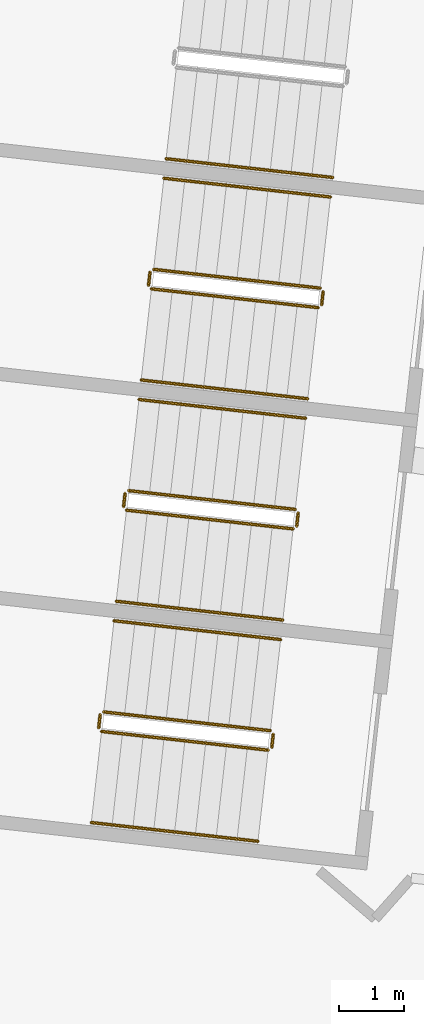
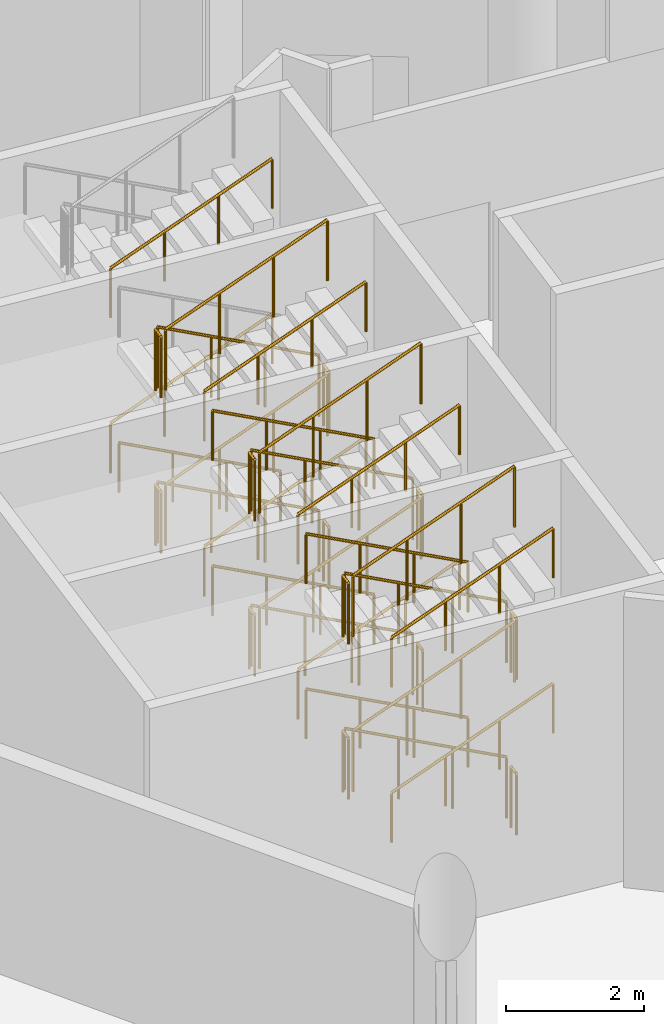
# One storey, part 252 of 271: 37 railings.
"""IFC4 building model written with IfcOpenShell, lengths in metres."""

from ifc_helpers import new_model, si_unit, direction, frame, origin, origin_2d, place, context, subcontext, project, spatial, circle, extrude, material, type_object, element, save


model = new_model("IFC4")

# Units and contexts
model_context = context("Model", 3, precision=1e-05, world=origin(), true_north=direction((0.0, 1.0)))
body_context = subcontext(model_context, "Body", "Model", "MODEL_VIEW")
ifc_project = project(units=[si_unit("LENGTHUNIT", "METRE"), si_unit("AREAUNIT", "SQUARE_METRE"), si_unit("VOLUMEUNIT", "CUBIC_METRE"), si_unit("PLANEANGLEUNIT", "RADIAN"), si_unit("MASSUNIT", "GRAM", prefix="KILO")], contexts=[model_context])

# Site, building, storey
site_placement = place(None, origin())
site = spatial("IfcSite", under=ifc_project, at=site_placement, CompositionType="ELEMENT")
building_placement = place(site_placement, origin())
building = spatial("IfcBuilding", under=site, at=building_placement, Name="Meseta Stadium", CompositionType="ELEMENT")
storey_placement = place(building_placement, frame((0.0, 0.0, 6.5)))
storey = spatial("IfcBuildingStorey", under=building, at=storey_placement, Name="L01", CompositionType="ELEMENT", Elevation=6.5)

# Railings
ifc_material_1 = material(Name="Steel S355", Category="steel")
railing_type_1 = type_object("IfcRailingType", Name="Stair guard 1100", PredefinedType="GUARDRAIL", material=ifc_material_1)
railing_1_placement = place(storey_placement, frame((-89.218017578125, 56.731201171875, 0.15283203125)))
element("IfcRailing", 1, at=railing_1_placement, inside=storey, type_object=railing_type_1, Name="ST58 L01 guard 1", PredefinedType="GUARDRAIL", context=body_context, shape_type="SweptSolid", body=[
    extrude(circle(Radius=0.02392578125, at=origin_2d()), frame((0.0, 0.0, 1.076171875), z_axis=(-0.896761948158, 0.101036326981, 0.430824406188), x_axis=(-0.111959576062, -0.993712761983, 0.0)), (0.0, 0.0, 1.0), 2.8369140625),
    extrude(circle(Radius=0.02099609375, at=origin_2d()), origin(), (0.0, 0.0, 1.0), 1.052001953125),
    extrude(circle(Radius=0.02099609375, at=origin_2d()), frame((-0.847900390625, 0.095458984375, 0.407470703125)), (0.0, 0.0, 1.0), 1.052001953125),
    extrude(circle(Radius=0.02099609375, at=origin_2d()), frame((-1.696044921875, 0.191162109375, 0.814697265625)), (0.0, 0.0, 1.0), 1.052001953125),
    extrude(circle(Radius=0.02099609375, at=origin_2d()), frame((-2.5439453125, 0.28662109375, 1.22216796875)), (0.0, 0.0, 1.0), 1.052001953125),
])
railing_2_placement = place(storey_placement, frame((-91.8173828125, 56.973876953125, 1.375)))
element("IfcRailing", 2, at=railing_2_placement, inside=storey, type_object=railing_type_1, Name="ST58 L01 guard 2", PredefinedType="GUARDRAIL", context=body_context, shape_type="SweptSolid", body=[
    extrude(circle(Radius=0.02392578125, at=origin_2d()), frame((0.0, 0.0, 1.076171875), z_axis=(-0.110966863456, -0.993824106779, 0.0), x_axis=(0.993824106779, -0.110966863456, 0.0)), (0.0, 0.0, 1.0), 0.2001953125),
    extrude(circle(Radius=0.02099609375, at=origin_2d()), origin(), (0.0, 0.0, 1.0), 1.052001953125),
    extrude(circle(Radius=0.02099609375, at=origin_2d()), frame((-0.022216796875, -0.198974609375, 0.0)), (0.0, 0.0, 1.0), 1.052001953125),
])
railing_3_placement = place(storey_placement, frame((-91.795654296875, 56.7197265625, 1.52783203125)))
element("IfcRailing", 3, at=railing_3_placement, inside=storey, type_object=railing_type_1, Name="ST58 L01 guard 3", PredefinedType="GUARDRAIL", context=body_context, shape_type="SweptSolid", body=[
    extrude(circle(Radius=0.02392578125, at=origin_2d()), frame((0.0, 0.0, 1.076171875), z_axis=(0.896761948158, -0.101036326981, 0.430824406188), x_axis=(0.111959576062, 0.993712761983, 0.0)), (0.0, 0.0, 1.0), 2.8369140625),
    extrude(circle(Radius=0.02099609375, at=origin_2d()), origin(), (0.0, 0.0, 1.0), 1.052001953125),
    extrude(circle(Radius=0.02099609375, at=origin_2d()), frame((0.847900390625, -0.095458984375, 0.407470703125)), (0.0, 0.0, 1.0), 1.052001953125),
    extrude(circle(Radius=0.02099609375, at=origin_2d()), frame((1.696044921875, -0.191162109375, 0.814697265625)), (0.0, 0.0, 1.0), 1.052001953125),
    extrude(circle(Radius=0.02099609375, at=origin_2d()), frame((2.5439453125, -0.28662109375, 1.22216796875)), (0.0, 0.0, 1.0), 1.052001953125),
])
railing_4_placement = place(storey_placement, frame((-89.174072265625, 56.676025390625, 2.75)))
element("IfcRailing", 4, at=railing_4_placement, inside=storey, type_object=railing_type_1, Name="ST58 L01 guard 4", PredefinedType="GUARDRAIL", context=body_context, shape_type="SweptSolid", body=[
    extrude(circle(Radius=0.02392578125, at=origin_2d()), frame((0.0, 0.0, 1.076171875), z_axis=(-0.111101504696, -0.993809063983, 0.0), x_axis=(0.993809063983, -0.111101504696, 0.0)), (0.0, 0.0, 1.0), 0.199951171875),
    extrude(circle(Radius=0.02099609375, at=origin_2d()), origin(), (0.0, 0.0, 1.0), 1.052001953125),
    extrude(circle(Radius=0.02099609375, at=origin_2d()), frame((-0.022216796875, -0.19873046875, 0.0)), (0.0, 0.0, 1.0), 1.052001953125),
])
railing_5_placement = place(storey_placement, frame((-89.218017578125, 56.731201171875, 2.90283203125)))
element("IfcRailing", 5, at=railing_5_placement, inside=storey, type_object=railing_type_1, Name="ST58 L01 guard 5", PredefinedType="GUARDRAIL", context=body_context, shape_type="SweptSolid", body=[
    extrude(circle(Radius=0.02392578125, at=origin_2d()), frame((0.0, 0.0, 1.076171875), z_axis=(-0.896761948158, 0.101036326981, 0.430824406188), x_axis=(-0.111959576062, -0.993712761983, 0.0)), (0.0, 0.0, 1.0), 2.8369140625),
    extrude(circle(Radius=0.02099609375, at=origin_2d()), origin(), (0.0, 0.0, 1.0), 1.052001953125),
    extrude(circle(Radius=0.02099609375, at=origin_2d()), frame((-0.847900390625, 0.095458984375, 0.407470703125)), (0.0, 0.0, 1.0), 1.052001953125),
    extrude(circle(Radius=0.02099609375, at=origin_2d()), frame((-1.696044921875, 0.191162109375, 0.814697265625)), (0.0, 0.0, 1.0), 1.052001953125),
    extrude(circle(Radius=0.02099609375, at=origin_2d()), frame((-2.5439453125, 0.28662109375, 1.22216796875)), (0.0, 0.0, 1.0), 1.052001953125),
])
railing_6_placement = place(storey_placement, frame((-91.8173828125, 56.973876953125, 4.125)))
element("IfcRailing", 6, at=railing_6_placement, inside=storey, type_object=railing_type_1, Name="ST58 L01 guard 6", PredefinedType="GUARDRAIL", context=body_context, shape_type="SweptSolid", body=[
    extrude(circle(Radius=0.02392578125, at=origin_2d()), frame((0.0, 0.0, 1.076171875), z_axis=(-0.110966863456, -0.993824106779, 0.0), x_axis=(0.993824106779, -0.110966863456, 0.0)), (0.0, 0.0, 1.0), 0.2001953125),
    extrude(circle(Radius=0.02099609375, at=origin_2d()), origin(), (0.0, 0.0, 1.0), 1.052001953125),
    extrude(circle(Radius=0.02099609375, at=origin_2d()), frame((-0.022216796875, -0.198974609375, 0.0)), (0.0, 0.0, 1.0), 1.052001953125),
])
railing_7_placement = place(storey_placement, frame((-91.795654296875, 56.7197265625, 4.27783203125)))
element("IfcRailing", 7, at=railing_7_placement, inside=storey, type_object=railing_type_1, Name="ST58 L01 guard 7", PredefinedType="GUARDRAIL", context=body_context, shape_type="SweptSolid", body=[
    extrude(circle(Radius=0.02392578125, at=origin_2d()), frame((0.0, 0.0, 1.076171875), z_axis=(0.896761948158, -0.101036326981, 0.430824406188), x_axis=(0.111959576062, 0.993712761983, 0.0)), (0.0, 0.0, 1.0), 2.8369140625),
    extrude(circle(Radius=0.02099609375, at=origin_2d()), origin(), (0.0, 0.0, 1.0), 1.052001953125),
    extrude(circle(Radius=0.02099609375, at=origin_2d()), frame((0.847900390625, -0.095458984375, 0.407470703125)), (0.0, 0.0, 1.0), 1.052001953125),
    extrude(circle(Radius=0.02099609375, at=origin_2d()), frame((1.696044921875, -0.191162109375, 0.814697265625)), (0.0, 0.0, 1.0), 1.052001953125),
    extrude(circle(Radius=0.02099609375, at=origin_2d()), frame((2.5439453125, -0.28662109375, 1.22216796875)), (0.0, 0.0, 1.0), 1.052001953125),
])
railing_8_placement = place(storey_placement, frame((-89.174072265625, 56.676025390625, 0.0)))
element("IfcRailing", 8, at=railing_8_placement, inside=storey, type_object=railing_type_1, Name="ST58 L01 guard 8", PredefinedType="GUARDRAIL", context=body_context, shape_type="SweptSolid", body=[
    extrude(circle(Radius=0.02392578125, at=origin_2d()), frame((0.0, 0.0, 1.076171875), z_axis=(-0.111101504696, -0.993809063983, 0.0), x_axis=(0.993809063983, -0.111101504696, 0.0)), (0.0, 0.0, 1.0), 0.199951171875),
    extrude(circle(Radius=0.02099609375, at=origin_2d()), origin(), (0.0, 0.0, 1.0), 1.052001953125),
    extrude(circle(Radius=0.02099609375, at=origin_2d()), frame((-0.022216796875, -0.19873046875, 0.0)), (0.0, 0.0, 1.0), 1.052001953125),
])
railing_9_placement = place(storey_placement, frame((-89.598876953125, 53.3525390625, 0.15283203125)))
element("IfcRailing", 9, at=railing_9_placement, inside=storey, type_object=railing_type_1, Name="ST59 L01 guard 1", PredefinedType="GUARDRAIL", context=body_context, shape_type="SweptSolid", body=[
    extrude(circle(Radius=0.02392578125, at=origin_2d()), frame((0.0, 0.0, 1.076171875), z_axis=(-0.896745093794, 0.101044125167, 0.43085765808), x_axis=(-0.111970187058, -0.993711566407, 0.0)), (0.0, 0.0, 1.0), 2.836669921875),
    extrude(circle(Radius=0.02099609375, at=origin_2d()), origin(), (0.0, 0.0, 1.0), 1.052001953125),
    extrude(circle(Radius=0.02099609375, at=origin_2d()), frame((-0.847900390625, 0.095458984375, 0.407470703125)), (0.0, 0.0, 1.0), 1.052001953125),
    extrude(circle(Radius=0.02099609375, at=origin_2d()), frame((-1.69580078125, 0.191162109375, 0.814697265625)), (0.0, 0.0, 1.0), 1.052001953125),
    extrude(circle(Radius=0.02099609375, at=origin_2d()), frame((-2.543701171875, 0.28662109375, 1.22216796875)), (0.0, 0.0, 1.0), 1.052001953125),
])
railing_10_placement = place(storey_placement, frame((-92.197998046875, 53.59521484375, 1.375)))
element("IfcRailing", 10, at=railing_10_placement, inside=storey, type_object=railing_type_1, Name="ST59 L01 guard 2", PredefinedType="GUARDRAIL", context=body_context, shape_type="SweptSolid", body=[
    extrude(circle(Radius=0.02392578125, at=origin_2d()), frame((0.0, 0.0, 1.076171875), z_axis=(-0.112307083986, -0.993673547442, 0.0), x_axis=(0.993673547442, -0.112307083986, 0.0)), (0.0, 0.0, 1.0), 0.199951171875),
    extrude(circle(Radius=0.02099609375, at=origin_2d()), origin(), (0.0, 0.0, 1.0), 1.052001953125),
    extrude(circle(Radius=0.02099609375, at=origin_2d()), frame((-0.0224609375, -0.19873046875, 0.0)), (0.0, 0.0, 1.0), 1.052001953125),
])
railing_11_placement = place(storey_placement, frame((-92.17626953125, 53.341064453125, 1.52783203125)))
element("IfcRailing", 11, at=railing_11_placement, inside=storey, type_object=railing_type_1, Name="ST59 L01 guard 3", PredefinedType="GUARDRAIL", context=body_context, shape_type="SweptSolid", body=[
    extrude(circle(Radius=0.02392578125, at=origin_2d()), frame((0.0, 0.0, 1.076171875), z_axis=(0.896761948158, -0.101036326981, 0.430824406188), x_axis=(0.111959576062, 0.993712761983, 0.0)), (0.0, 0.0, 1.0), 2.8369140625),
    extrude(circle(Radius=0.02099609375, at=origin_2d()), origin(), (0.0, 0.0, 1.0), 1.052001953125),
    extrude(circle(Radius=0.02099609375, at=origin_2d()), frame((0.847900390625, -0.095458984375, 0.407470703125)), (0.0, 0.0, 1.0), 1.052001953125),
    extrude(circle(Radius=0.02099609375, at=origin_2d()), frame((1.696044921875, -0.191162109375, 0.814697265625)), (0.0, 0.0, 1.0), 1.052001953125),
    extrude(circle(Radius=0.02099609375, at=origin_2d()), frame((2.5439453125, -0.28662109375, 1.22216796875)), (0.0, 0.0, 1.0), 1.052001953125),
])
railing_12_placement = place(storey_placement, frame((-89.5546875, 53.29736328125, 2.75)))
element("IfcRailing", 12, at=railing_12_placement, inside=storey, type_object=railing_type_1, Name="ST59 L01 guard 4", PredefinedType="GUARDRAIL", context=body_context, shape_type="SweptSolid", body=[
    extrude(circle(Radius=0.02392578125, at=origin_2d()), frame((0.0, 0.0, 1.076171875), z_axis=(-0.112307083986, -0.993673547442, 0.0), x_axis=(0.993673547442, -0.112307083986, 0.0)), (0.0, 0.0, 1.0), 0.199951171875),
    extrude(circle(Radius=0.02099609375, at=origin_2d()), origin(), (0.0, 0.0, 1.0), 1.052001953125),
    extrude(circle(Radius=0.02099609375, at=origin_2d()), frame((-0.0224609375, -0.19873046875, 0.0)), (0.0, 0.0, 1.0), 1.052001953125),
])
railing_13_placement = place(storey_placement, frame((-89.598876953125, 53.3525390625, 2.90283203125)))
element("IfcRailing", 13, at=railing_13_placement, inside=storey, type_object=railing_type_1, Name="ST59 L01 guard 5", PredefinedType="GUARDRAIL", context=body_context, shape_type="SweptSolid", body=[
    extrude(circle(Radius=0.02392578125, at=origin_2d()), frame((0.0, 0.0, 1.076171875), z_axis=(-0.896745093794, 0.101044125167, 0.43085765808), x_axis=(-0.111970187058, -0.993711566407, 0.0)), (0.0, 0.0, 1.0), 2.836669921875),
    extrude(circle(Radius=0.02099609375, at=origin_2d()), origin(), (0.0, 0.0, 1.0), 1.052001953125),
    extrude(circle(Radius=0.02099609375, at=origin_2d()), frame((-0.847900390625, 0.095458984375, 0.407470703125)), (0.0, 0.0, 1.0), 1.052001953125),
    extrude(circle(Radius=0.02099609375, at=origin_2d()), frame((-1.69580078125, 0.191162109375, 0.814697265625)), (0.0, 0.0, 1.0), 1.052001953125),
    extrude(circle(Radius=0.02099609375, at=origin_2d()), frame((-2.543701171875, 0.28662109375, 1.22216796875)), (0.0, 0.0, 1.0), 1.052001953125),
])
railing_14_placement = place(storey_placement, frame((-92.197998046875, 53.59521484375, 4.125)))
element("IfcRailing", 14, at=railing_14_placement, inside=storey, type_object=railing_type_1, Name="ST59 L01 guard 6", PredefinedType="GUARDRAIL", context=body_context, shape_type="SweptSolid", body=[
    extrude(circle(Radius=0.02392578125, at=origin_2d()), frame((0.0, 0.0, 1.076171875), z_axis=(-0.112307083986, -0.993673547442, 0.0), x_axis=(0.993673547442, -0.112307083986, 0.0)), (0.0, 0.0, 1.0), 0.199951171875),
    extrude(circle(Radius=0.02099609375, at=origin_2d()), origin(), (0.0, 0.0, 1.0), 1.052001953125),
    extrude(circle(Radius=0.02099609375, at=origin_2d()), frame((-0.0224609375, -0.19873046875, 0.0)), (0.0, 0.0, 1.0), 1.052001953125),
])
railing_15_placement = place(storey_placement, frame((-92.17626953125, 53.341064453125, 4.27783203125)))
element("IfcRailing", 15, at=railing_15_placement, inside=storey, type_object=railing_type_1, Name="ST59 L01 guard 7", PredefinedType="GUARDRAIL", context=body_context, shape_type="SweptSolid", body=[
    extrude(circle(Radius=0.02392578125, at=origin_2d()), frame((0.0, 0.0, 1.076171875), z_axis=(0.896761948158, -0.101036326981, 0.430824406188), x_axis=(0.111959576062, 0.993712761983, 0.0)), (0.0, 0.0, 1.0), 2.8369140625),
    extrude(circle(Radius=0.02099609375, at=origin_2d()), origin(), (0.0, 0.0, 1.0), 1.052001953125),
    extrude(circle(Radius=0.02099609375, at=origin_2d()), frame((0.847900390625, -0.095458984375, 0.407470703125)), (0.0, 0.0, 1.0), 1.052001953125),
    extrude(circle(Radius=0.02099609375, at=origin_2d()), frame((1.696044921875, -0.191162109375, 0.814697265625)), (0.0, 0.0, 1.0), 1.052001953125),
    extrude(circle(Radius=0.02099609375, at=origin_2d()), frame((2.5439453125, -0.28662109375, 1.22216796875)), (0.0, 0.0, 1.0), 1.052001953125),
])
railing_16_placement = place(storey_placement, frame((-89.5546875, 53.29736328125, 0.0)))
element("IfcRailing", 16, at=railing_16_placement, inside=storey, type_object=railing_type_1, Name="ST59 L01 guard 8", PredefinedType="GUARDRAIL", context=body_context, shape_type="SweptSolid", body=[
    extrude(circle(Radius=0.02392578125, at=origin_2d()), frame((0.0, 0.0, 1.076171875), z_axis=(-0.112307083986, -0.993673547442, 0.0), x_axis=(0.993673547442, -0.112307083986, 0.0)), (0.0, 0.0, 1.0), 0.199951171875),
    extrude(circle(Radius=0.02099609375, at=origin_2d()), origin(), (0.0, 0.0, 1.0), 1.052001953125),
    extrude(circle(Radius=0.02099609375, at=origin_2d()), frame((-0.0224609375, -0.19873046875, 0.0)), (0.0, 0.0, 1.0), 1.052001953125),
])
railing_17_placement = place(storey_placement, frame((-89.9794921875, 49.973876953125, 0.15283203125)))
element("IfcRailing", 17, at=railing_17_placement, inside=storey, type_object=railing_type_1, Name="ST60 L01 guard 1", PredefinedType="GUARDRAIL", context=body_context, shape_type="SweptSolid", body=[
    extrude(circle(Radius=0.02392578125, at=origin_2d()), frame((0.0, 0.0, 1.076171875), z_axis=(-0.896761948158, 0.101036326981, 0.430824406188), x_axis=(-0.111959576062, -0.993712761983, 0.0)), (0.0, 0.0, 1.0), 2.8369140625),
    extrude(circle(Radius=0.02099609375, at=origin_2d()), origin(), (0.0, 0.0, 1.0), 1.052001953125),
    extrude(circle(Radius=0.02099609375, at=origin_2d()), frame((-0.847900390625, 0.095458984375, 0.407470703125)), (0.0, 0.0, 1.0), 1.052001953125),
    extrude(circle(Radius=0.02099609375, at=origin_2d()), frame((-1.696044921875, 0.191162109375, 0.814697265625)), (0.0, 0.0, 1.0), 1.052001953125),
    extrude(circle(Radius=0.02099609375, at=origin_2d()), frame((-2.5439453125, 0.28662109375, 1.22216796875)), (0.0, 0.0, 1.0), 1.052001953125),
])
railing_18_placement = place(storey_placement, frame((-92.57861328125, 50.216552734375, 1.375)))
element("IfcRailing", 18, at=railing_18_placement, inside=storey, type_object=railing_type_1, Name="ST60 L01 guard 2", PredefinedType="GUARDRAIL", context=body_context, shape_type="SweptSolid", body=[
    extrude(circle(Radius=0.02392578125, at=origin_2d()), frame((0.0, 0.0, 1.076171875), z_axis=(-0.112307083986, -0.993673547442, 0.0), x_axis=(0.993673547442, -0.112307083986, 0.0)), (0.0, 0.0, 1.0), 0.199951171875),
    extrude(circle(Radius=0.02099609375, at=origin_2d()), origin(), (0.0, 0.0, 1.0), 1.052001953125),
    extrude(circle(Radius=0.02099609375, at=origin_2d()), frame((-0.0224609375, -0.19873046875, 0.0)), (0.0, 0.0, 1.0), 1.052001953125),
])
railing_19_placement = place(storey_placement, frame((-92.556884765625, 49.96240234375, 1.52783203125)))
element("IfcRailing", 19, at=railing_19_placement, inside=storey, type_object=railing_type_1, Name="ST60 L01 guard 3", PredefinedType="GUARDRAIL", context=body_context, shape_type="SweptSolid", body=[
    extrude(circle(Radius=0.02392578125, at=origin_2d()), frame((0.0, 0.0, 1.076171875), z_axis=(0.896761948158, -0.101036326981, 0.430824406188), x_axis=(0.111959576062, 0.993712761983, 0.0)), (0.0, 0.0, 1.0), 2.8369140625),
    extrude(circle(Radius=0.02099609375, at=origin_2d()), origin(), (0.0, 0.0, 1.0), 1.052001953125),
    extrude(circle(Radius=0.02099609375, at=origin_2d()), frame((0.847900390625, -0.095458984375, 0.407470703125)), (0.0, 0.0, 1.0), 1.052001953125),
    extrude(circle(Radius=0.02099609375, at=origin_2d()), frame((1.696044921875, -0.191162109375, 0.814697265625)), (0.0, 0.0, 1.0), 1.052001953125),
    extrude(circle(Radius=0.02099609375, at=origin_2d()), frame((2.5439453125, -0.28662109375, 1.22216796875)), (0.0, 0.0, 1.0), 1.052001953125),
])
railing_20_placement = place(storey_placement, frame((-89.935302734375, 49.918701171875, 2.75)))
element("IfcRailing", 20, at=railing_20_placement, inside=storey, type_object=railing_type_1, Name="ST60 L01 guard 4", PredefinedType="GUARDRAIL", context=body_context, shape_type="SweptSolid", body=[
    extrude(circle(Radius=0.02392578125, at=origin_2d()), frame((0.0, 0.0, 1.076171875), z_axis=(-0.112307083986, -0.993673547442, 0.0), x_axis=(0.993673547442, -0.112307083986, 0.0)), (0.0, 0.0, 1.0), 0.199951171875),
    extrude(circle(Radius=0.02099609375, at=origin_2d()), origin(), (0.0, 0.0, 1.0), 1.052001953125),
    extrude(circle(Radius=0.02099609375, at=origin_2d()), frame((-0.0224609375, -0.19873046875, 0.0)), (0.0, 0.0, 1.0), 1.052001953125),
])
railing_21_placement = place(storey_placement, frame((-89.9794921875, 49.973876953125, 2.90283203125)))
element("IfcRailing", 21, at=railing_21_placement, inside=storey, type_object=railing_type_1, Name="ST60 L01 guard 5", PredefinedType="GUARDRAIL", context=body_context, shape_type="SweptSolid", body=[
    extrude(circle(Radius=0.02392578125, at=origin_2d()), frame((0.0, 0.0, 1.076171875), z_axis=(-0.896761948158, 0.101036326981, 0.430824406188), x_axis=(-0.111959576062, -0.993712761983, 0.0)), (0.0, 0.0, 1.0), 2.8369140625),
    extrude(circle(Radius=0.02099609375, at=origin_2d()), origin(), (0.0, 0.0, 1.0), 1.052001953125),
    extrude(circle(Radius=0.02099609375, at=origin_2d()), frame((-0.847900390625, 0.095458984375, 0.407470703125)), (0.0, 0.0, 1.0), 1.052001953125),
    extrude(circle(Radius=0.02099609375, at=origin_2d()), frame((-1.696044921875, 0.191162109375, 0.814697265625)), (0.0, 0.0, 1.0), 1.052001953125),
    extrude(circle(Radius=0.02099609375, at=origin_2d()), frame((-2.5439453125, 0.28662109375, 1.22216796875)), (0.0, 0.0, 1.0), 1.052001953125),
])
railing_22_placement = place(storey_placement, frame((-92.57861328125, 50.216552734375, 4.125)))
element("IfcRailing", 22, at=railing_22_placement, inside=storey, type_object=railing_type_1, Name="ST60 L01 guard 6", PredefinedType="GUARDRAIL", context=body_context, shape_type="SweptSolid", body=[
    extrude(circle(Radius=0.02392578125, at=origin_2d()), frame((0.0, 0.0, 1.076171875), z_axis=(-0.112307083986, -0.993673547442, 0.0), x_axis=(0.993673547442, -0.112307083986, 0.0)), (0.0, 0.0, 1.0), 0.199951171875),
    extrude(circle(Radius=0.02099609375, at=origin_2d()), origin(), (0.0, 0.0, 1.0), 1.052001953125),
    extrude(circle(Radius=0.02099609375, at=origin_2d()), frame((-0.0224609375, -0.19873046875, 0.0)), (0.0, 0.0, 1.0), 1.052001953125),
])
railing_23_placement = place(storey_placement, frame((-92.556884765625, 49.96240234375, 4.27783203125)))
element("IfcRailing", 23, at=railing_23_placement, inside=storey, type_object=railing_type_1, Name="ST60 L01 guard 7", PredefinedType="GUARDRAIL", context=body_context, shape_type="SweptSolid", body=[
    extrude(circle(Radius=0.02392578125, at=origin_2d()), frame((0.0, 0.0, 1.076171875), z_axis=(0.896761948158, -0.101036326981, 0.430824406188), x_axis=(0.111959576062, 0.993712761983, 0.0)), (0.0, 0.0, 1.0), 2.8369140625),
    extrude(circle(Radius=0.02099609375, at=origin_2d()), origin(), (0.0, 0.0, 1.0), 1.052001953125),
    extrude(circle(Radius=0.02099609375, at=origin_2d()), frame((0.847900390625, -0.095458984375, 0.407470703125)), (0.0, 0.0, 1.0), 1.052001953125),
    extrude(circle(Radius=0.02099609375, at=origin_2d()), frame((1.696044921875, -0.191162109375, 0.814697265625)), (0.0, 0.0, 1.0), 1.052001953125),
    extrude(circle(Radius=0.02099609375, at=origin_2d()), frame((2.5439453125, -0.28662109375, 1.22216796875)), (0.0, 0.0, 1.0), 1.052001953125),
])
railing_24_placement = place(storey_placement, frame((-89.935302734375, 49.918701171875, 0.0)))
element("IfcRailing", 24, at=railing_24_placement, inside=storey, type_object=railing_type_1, Name="ST60 L01 guard 8", PredefinedType="GUARDRAIL", context=body_context, shape_type="SweptSolid", body=[
    extrude(circle(Radius=0.02392578125, at=origin_2d()), frame((0.0, 0.0, 1.076171875), z_axis=(-0.112307083986, -0.993673547442, 0.0), x_axis=(0.993673547442, -0.112307083986, 0.0)), (0.0, 0.0, 1.0), 0.199951171875),
    extrude(circle(Radius=0.02099609375, at=origin_2d()), origin(), (0.0, 0.0, 1.0), 1.052001953125),
    extrude(circle(Radius=0.02099609375, at=origin_2d()), frame((-0.0224609375, -0.19873046875, 0.0)), (0.0, 0.0, 1.0), 1.052001953125),
])
ifc_material_2 = material(Name="Steel S355", Category="steel")
railing_type_2 = type_object("IfcRailingType", Name="Stair handrail 900", PredefinedType="HANDRAIL", material=ifc_material_2)
for number, where, name in (
    (25, (-91.571533203125, 58.707275390625, 1.52783203125), "ST57 L01 handrail 2"),
    (26, (-91.571533203125, 58.707275390625, 4.27783203125), "ST57 L01 handrail 4"),
):
    element("IfcRailing", number, at=place(storey_placement, frame(where)), inside=storey, type_object=railing_type_2, Name=name, PredefinedType="HANDRAIL", context=body_context, shape_type="SweptSolid", body=[
        extrude(circle(Radius=0.02392578125, at=origin_2d()), frame((0.0, 0.0, 0.8759765625), z_axis=(0.896737291859, -0.101129313555, 0.430853909497), x_axis=(0.112064364749, 0.993700950062, 0.0)), (0.0, 0.0, 1.0), 2.836669921875),
        extrude(circle(Radius=0.02099609375, at=origin_2d()), origin(), (0.0, 0.0, 1.0), 0.851806640625),
        extrude(circle(Radius=0.02099609375, at=origin_2d()), frame((0.847900390625, -0.095703125, 0.407470703125)), (0.0, 0.0, 1.0), 0.851806640625),
        extrude(circle(Radius=0.02099609375, at=origin_2d()), frame((1.69580078125, -0.191162109375, 0.814697265625)), (0.0, 0.0, 1.0), 0.851806640625),
        extrude(circle(Radius=0.02099609375, at=origin_2d()), frame((2.543701171875, -0.286865234375, 1.22216796875)), (0.0, 0.0, 1.0), 0.851806640625),
    ])
railing_25_placement = place(storey_placement, frame((-89.061279296875, 58.122314453125, 0.15283203125)))
element("IfcRailing", 27, at=railing_25_placement, inside=storey, type_object=railing_type_2, Name="ST58 L01 handrail 1", PredefinedType="HANDRAIL", context=body_context, shape_type="SweptSolid", body=[
    extrude(circle(Radius=0.02392578125, at=origin_2d()), frame((0.0, 0.0, 0.8759765625), z_axis=(-0.896761948158, 0.101036326981, 0.430824406188), x_axis=(-0.111959576062, -0.993712761983, 0.0)), (0.0, 0.0, 1.0), 2.8369140625),
    extrude(circle(Radius=0.02099609375, at=origin_2d()), origin(), (0.0, 0.0, 1.0), 0.851806640625),
    extrude(circle(Radius=0.02099609375, at=origin_2d()), frame((-0.847900390625, 0.095458984375, 0.407470703125)), (0.0, 0.0, 1.0), 0.851806640625),
    extrude(circle(Radius=0.02099609375, at=origin_2d()), frame((-1.696044921875, 0.191162109375, 0.814697265625)), (0.0, 0.0, 1.0), 0.851806640625),
    extrude(circle(Radius=0.02099609375, at=origin_2d()), frame((-2.5439453125, 0.28662109375, 1.22216796875)), (0.0, 0.0, 1.0), 0.851806640625),
])
for number, where, name in (
    (28, (-91.952392578125, 55.32861328125, 1.52783203125), "ST58 L01 handrail 2"),
    (29, (-91.952392578125, 55.32861328125, 4.27783203125), "ST58 L01 handrail 4"),
):
    element("IfcRailing", number, at=place(storey_placement, frame(where)), inside=storey, type_object=railing_type_2, Name=name, PredefinedType="HANDRAIL", context=body_context, shape_type="SweptSolid", body=[
        extrude(circle(Radius=0.02392578125, at=origin_2d()), frame((0.0, 0.0, 0.8759765625), z_axis=(0.896761948158, -0.101036326981, 0.430824406188), x_axis=(0.111959576062, 0.993712761983, 0.0)), (0.0, 0.0, 1.0), 2.8369140625),
        extrude(circle(Radius=0.02099609375, at=origin_2d()), origin(), (0.0, 0.0, 1.0), 0.851806640625),
        extrude(circle(Radius=0.02099609375, at=origin_2d()), frame((0.847900390625, -0.095458984375, 0.407470703125)), (0.0, 0.0, 1.0), 0.851806640625),
        extrude(circle(Radius=0.02099609375, at=origin_2d()), frame((1.696044921875, -0.191162109375, 0.814697265625)), (0.0, 0.0, 1.0), 0.851806640625),
        extrude(circle(Radius=0.02099609375, at=origin_2d()), frame((2.5439453125, -0.28662109375, 1.22216796875)), (0.0, 0.0, 1.0), 0.851806640625),
    ])
railing_26_placement = place(storey_placement, frame((-89.442138671875, 54.743896484375, 0.15283203125)))
element("IfcRailing", 30, at=railing_26_placement, inside=storey, type_object=railing_type_2, Name="ST59 L01 handrail 1", PredefinedType="HANDRAIL", context=body_context, shape_type="SweptSolid", body=[
    extrude(circle(Radius=0.02392578125, at=origin_2d()), frame((0.0, 0.0, 0.8759765625), z_axis=(-0.896745093794, 0.101044125167, 0.43085765808), x_axis=(-0.111970187058, -0.993711566407, 0.0)), (0.0, 0.0, 1.0), 2.836669921875),
    extrude(circle(Radius=0.02099609375, at=origin_2d()), origin(), (0.0, 0.0, 1.0), 0.851806640625),
    extrude(circle(Radius=0.02099609375, at=origin_2d()), frame((-0.847900390625, 0.095458984375, 0.407470703125)), (0.0, 0.0, 1.0), 0.851806640625),
    extrude(circle(Radius=0.02099609375, at=origin_2d()), frame((-1.69580078125, 0.191162109375, 0.814697265625)), (0.0, 0.0, 1.0), 0.851806640625),
    extrude(circle(Radius=0.02099609375, at=origin_2d()), frame((-2.543701171875, 0.28662109375, 1.22216796875)), (0.0, 0.0, 1.0), 0.851806640625),
])
railing_27_placement = place(storey_placement, frame((-92.3330078125, 51.949951171875, 1.52783203125)))
element("IfcRailing", 31, at=railing_27_placement, inside=storey, type_object=railing_type_2, Name="ST59 L01 handrail 2", PredefinedType="HANDRAIL", context=body_context, shape_type="SweptSolid", body=[
    extrude(circle(Radius=0.02392578125, at=origin_2d()), frame((0.0, 0.0, 0.8759765625), z_axis=(0.896761948158, -0.101036326981, 0.430824406188), x_axis=(0.111959576062, 0.993712761983, 0.0)), (0.0, 0.0, 1.0), 2.8369140625),
    extrude(circle(Radius=0.02099609375, at=origin_2d()), origin(), (0.0, 0.0, 1.0), 0.851806640625),
    extrude(circle(Radius=0.02099609375, at=origin_2d()), frame((0.847900390625, -0.095458984375, 0.407470703125)), (0.0, 0.0, 1.0), 0.851806640625),
    extrude(circle(Radius=0.02099609375, at=origin_2d()), frame((1.696044921875, -0.191162109375, 0.814697265625)), (0.0, 0.0, 1.0), 0.851806640625),
    extrude(circle(Radius=0.02099609375, at=origin_2d()), frame((2.5439453125, -0.28662109375, 1.22216796875)), (0.0, 0.0, 1.0), 0.851806640625),
])
railing_28_placement = place(storey_placement, frame((-89.442138671875, 54.743896484375, 2.90283203125)))
element("IfcRailing", 32, at=railing_28_placement, inside=storey, type_object=railing_type_2, Name="ST59 L01 handrail 3", PredefinedType="HANDRAIL", context=body_context, shape_type="SweptSolid", body=[
    extrude(circle(Radius=0.02392578125, at=origin_2d()), frame((0.0, 0.0, 0.8759765625), z_axis=(-0.896745093794, 0.101044125167, 0.43085765808), x_axis=(-0.111970187058, -0.993711566407, 0.0)), (0.0, 0.0, 1.0), 2.836669921875),
    extrude(circle(Radius=0.02099609375, at=origin_2d()), origin(), (0.0, 0.0, 1.0), 0.851806640625),
    extrude(circle(Radius=0.02099609375, at=origin_2d()), frame((-0.847900390625, 0.095458984375, 0.407470703125)), (0.0, 0.0, 1.0), 0.851806640625),
    extrude(circle(Radius=0.02099609375, at=origin_2d()), frame((-1.69580078125, 0.191162109375, 0.814697265625)), (0.0, 0.0, 1.0), 0.851806640625),
    extrude(circle(Radius=0.02099609375, at=origin_2d()), frame((-2.543701171875, 0.28662109375, 1.22216796875)), (0.0, 0.0, 1.0), 0.851806640625),
])
railing_29_placement = place(storey_placement, frame((-92.3330078125, 51.949951171875, 4.27783203125)))
element("IfcRailing", 33, at=railing_29_placement, inside=storey, type_object=railing_type_2, Name="ST59 L01 handrail 4", PredefinedType="HANDRAIL", context=body_context, shape_type="SweptSolid", body=[
    extrude(circle(Radius=0.02392578125, at=origin_2d()), frame((0.0, 0.0, 0.8759765625), z_axis=(0.896761948158, -0.101036326981, 0.430824406188), x_axis=(0.111959576062, 0.993712761983, 0.0)), (0.0, 0.0, 1.0), 2.8369140625),
    extrude(circle(Radius=0.02099609375, at=origin_2d()), origin(), (0.0, 0.0, 1.0), 0.851806640625),
    extrude(circle(Radius=0.02099609375, at=origin_2d()), frame((0.847900390625, -0.095458984375, 0.407470703125)), (0.0, 0.0, 1.0), 0.851806640625),
    extrude(circle(Radius=0.02099609375, at=origin_2d()), frame((1.696044921875, -0.191162109375, 0.814697265625)), (0.0, 0.0, 1.0), 0.851806640625),
    extrude(circle(Radius=0.02099609375, at=origin_2d()), frame((2.5439453125, -0.28662109375, 1.22216796875)), (0.0, 0.0, 1.0), 0.851806640625),
])
railing_30_placement = place(storey_placement, frame((-89.82275390625, 51.365234375, 0.15283203125)))
element("IfcRailing", 34, at=railing_30_placement, inside=storey, type_object=railing_type_2, Name="ST60 L01 handrail 1", PredefinedType="HANDRAIL", context=body_context, shape_type="SweptSolid", body=[
    extrude(circle(Radius=0.02392578125, at=origin_2d()), frame((0.0, 0.0, 0.8759765625), z_axis=(-0.896761948158, 0.101036326981, 0.430824406188), x_axis=(-0.111959576062, -0.993712761983, 0.0)), (0.0, 0.0, 1.0), 2.8369140625),
    extrude(circle(Radius=0.02099609375, at=origin_2d()), origin(), (0.0, 0.0, 1.0), 0.851806640625),
    extrude(circle(Radius=0.02099609375, at=origin_2d()), frame((-0.847900390625, 0.095458984375, 0.407470703125)), (0.0, 0.0, 1.0), 0.851806640625),
    extrude(circle(Radius=0.02099609375, at=origin_2d()), frame((-1.696044921875, 0.191162109375, 0.814697265625)), (0.0, 0.0, 1.0), 0.851806640625),
    extrude(circle(Radius=0.02099609375, at=origin_2d()), frame((-2.5439453125, 0.28662109375, 1.22216796875)), (0.0, 0.0, 1.0), 0.851806640625),
])
railing_31_placement = place(storey_placement, frame((-92.713623046875, 48.5712890625, 1.52783203125)))
element("IfcRailing", 35, at=railing_31_placement, inside=storey, type_object=railing_type_2, Name="ST60 L01 handrail 2", PredefinedType="HANDRAIL", context=body_context, shape_type="SweptSolid", body=[
    extrude(circle(Radius=0.02392578125, at=origin_2d()), frame((0.0, 0.0, 0.8759765625), z_axis=(0.896761948158, -0.101036326981, 0.430824406188), x_axis=(0.111959576062, 0.993712761983, 0.0)), (0.0, 0.0, 1.0), 2.8369140625),
    extrude(circle(Radius=0.02099609375, at=origin_2d()), origin(), (0.0, 0.0, 1.0), 0.851806640625),
    extrude(circle(Radius=0.02099609375, at=origin_2d()), frame((0.847900390625, -0.095458984375, 0.407470703125)), (0.0, 0.0, 1.0), 0.851806640625),
    extrude(circle(Radius=0.02099609375, at=origin_2d()), frame((1.696044921875, -0.191162109375, 0.814697265625)), (0.0, 0.0, 1.0), 0.851806640625),
    extrude(circle(Radius=0.02099609375, at=origin_2d()), frame((2.5439453125, -0.28662109375, 1.22216796875)), (0.0, 0.0, 1.0), 0.851806640625),
])
railing_32_placement = place(storey_placement, frame((-89.82275390625, 51.365234375, 2.90283203125)))
element("IfcRailing", 36, at=railing_32_placement, inside=storey, type_object=railing_type_2, Name="ST60 L01 handrail 3", PredefinedType="HANDRAIL", context=body_context, shape_type="SweptSolid", body=[
    extrude(circle(Radius=0.02392578125, at=origin_2d()), frame((0.0, 0.0, 0.8759765625), z_axis=(-0.896761948158, 0.101036326981, 0.430824406188), x_axis=(-0.111959576062, -0.993712761983, 0.0)), (0.0, 0.0, 1.0), 2.8369140625),
    extrude(circle(Radius=0.02099609375, at=origin_2d()), origin(), (0.0, 0.0, 1.0), 0.851806640625),
    extrude(circle(Radius=0.02099609375, at=origin_2d()), frame((-0.847900390625, 0.095458984375, 0.407470703125)), (0.0, 0.0, 1.0), 0.851806640625),
    extrude(circle(Radius=0.02099609375, at=origin_2d()), frame((-1.696044921875, 0.191162109375, 0.814697265625)), (0.0, 0.0, 1.0), 0.851806640625),
    extrude(circle(Radius=0.02099609375, at=origin_2d()), frame((-2.5439453125, 0.28662109375, 1.22216796875)), (0.0, 0.0, 1.0), 0.851806640625),
])
railing_33_placement = place(storey_placement, frame((-92.713623046875, 48.5712890625, 4.27783203125)))
element("IfcRailing", 37, at=railing_33_placement, inside=storey, type_object=railing_type_2, Name="ST60 L01 handrail 4", PredefinedType="HANDRAIL", context=body_context, shape_type="SweptSolid", body=[
    extrude(circle(Radius=0.02392578125, at=origin_2d()), frame((0.0, 0.0, 0.8759765625), z_axis=(0.896761948158, -0.101036326981, 0.430824406188), x_axis=(0.111959576062, 0.993712761983, 0.0)), (0.0, 0.0, 1.0), 2.8369140625),
    extrude(circle(Radius=0.02099609375, at=origin_2d()), origin(), (0.0, 0.0, 1.0), 0.851806640625),
    extrude(circle(Radius=0.02099609375, at=origin_2d()), frame((0.847900390625, -0.095458984375, 0.407470703125)), (0.0, 0.0, 1.0), 0.851806640625),
    extrude(circle(Radius=0.02099609375, at=origin_2d()), frame((1.696044921875, -0.191162109375, 0.814697265625)), (0.0, 0.0, 1.0), 0.851806640625),
    extrude(circle(Radius=0.02099609375, at=origin_2d()), frame((2.5439453125, -0.28662109375, 1.22216796875)), (0.0, 0.0, 1.0), 0.851806640625),
])

save(model, "model.ifc")
